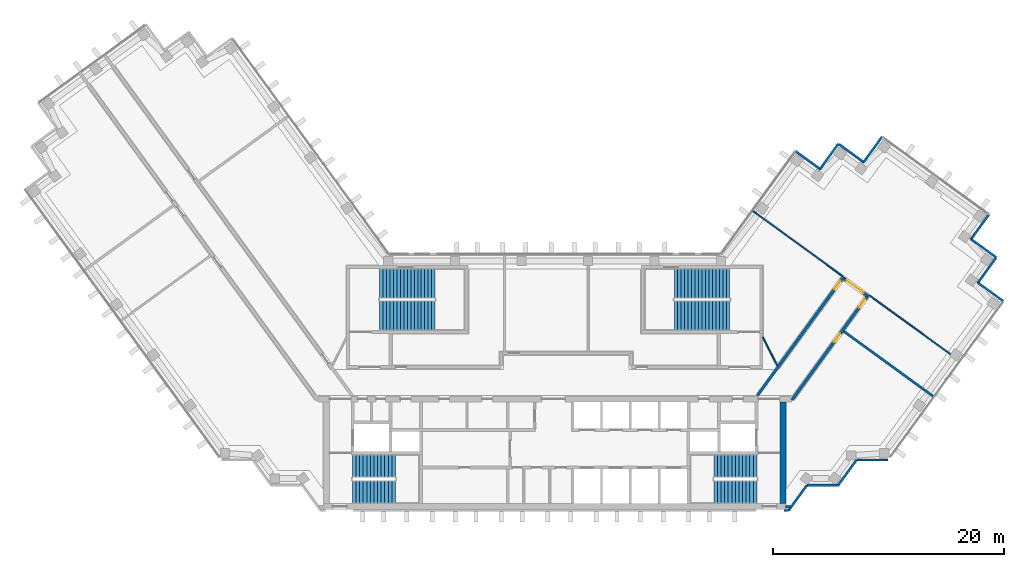
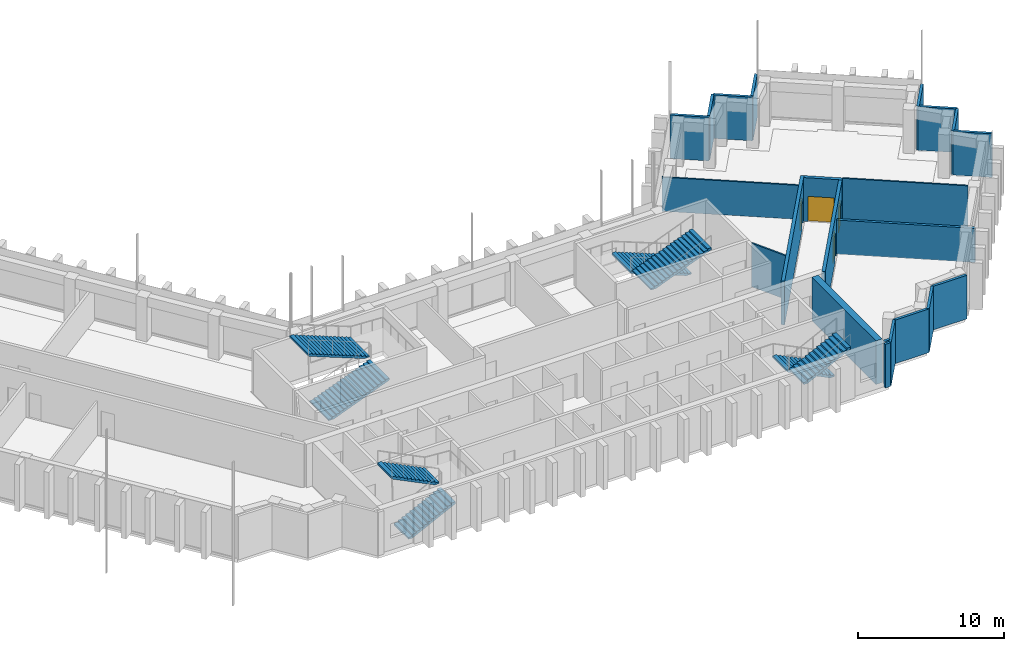
# One storey, part 10 of 12: 22 walls, 8 stair flights, 4 doors, 4 openings, 4 elements without a shape of their own.
"""IFC4 building model written with IfcOpenShell, lengths in metres."""

from ifc_helpers import new_model, si_unit, direction, frame, frame_2d, origin, place, context, subcontext, project, spatial, polyline, rectangle, outline, extrude, material, layer, layer_set, type_object, element, fill, aggregate, save


model = new_model("IFC4")

# Units and contexts
model_context = context("Model", 3, precision=1e-05, world=origin(), true_north=direction((0.0, 1.0)))
body_context = subcontext(model_context, "Body", "Model", "MODEL_VIEW")
ifc_project = project(units=[si_unit("LENGTHUNIT", "METRE"), si_unit("AREAUNIT", "SQUARE_METRE"), si_unit("VOLUMEUNIT", "CUBIC_METRE"), si_unit("PLANEANGLEUNIT", "RADIAN"), si_unit("MASSUNIT", "GRAM", prefix="KILO")], contexts=[model_context])

# Site, building, storey
site_placement = place(None, origin())
site = spatial("IfcSite", under=ifc_project, at=site_placement, CompositionType="ELEMENT")
building_placement = place(site_placement, origin())
building = spatial("IfcBuilding", under=site, at=building_placement, Name="Quipu Civic Tower", CompositionType="ELEMENT")
storey_placement = place(building_placement, frame((0.0, 0.0, 234.0)))
storey = spatial("IfcBuildingStorey", under=building, at=storey_placement, Name="L55", CompositionType="ELEMENT", Elevation=234.0)

# Walls
ifc_material_1 = material(Name="Fired clay blockwork", Category="masonry")
ifc_layer_1 = layer(ifc_material_1, 0.199951171875)
ifc_layer_set_1 = layer_set([ifc_layer_1], Name="Fired clay blockwork")
wall_type_1 = type_object("IfcWallType", Name="Blockwork wall 200", PredefinedType="SOLIDWALL", material=ifc_layer_set_1)
wall_1_placement = place(storey_placement, frame((32.734375, -1.18701171875, 0.0), z_axis=(0.0, 0.0, 1.0), x_axis=(-0.808994684961, 0.587815957341, 0.0)))
element("IfcWall", 1, at=wall_1_placement, inside=storey, type_object=wall_type_1, Name="Partition P08", PredefinedType="SOLIDWALL", context=body_context, shape_type="SweptSolid", body=[
    extrude(rectangle(XDim=9.55029296875, YDim=0.199951171875, at=frame_2d((4.775146484375, 0.0))), origin(), (0.0, 0.0, 1.0), 2.85009765625),
])
ifc_material_2 = material(Name="Concrete C70/85", Category="concrete")
ifc_layer_2 = layer(ifc_material_2, 0.5)
ifc_layer_set_2 = layer_set([ifc_layer_2], Name="Concrete C70/85")
wall_type_2 = type_object("IfcWallType", Name="Core wall 500", PredefinedType="SHEAR", material=ifc_layer_set_2)
wall_2_placement = place(storey_placement, frame((19.75, -10.5, 0.0), z_axis=(0.0, 0.0, 1.0), x_axis=(0.0, 1.0, 0.0)))
element("IfcWall", 2, at=wall_2_placement, inside=storey, type_object=wall_type_2, Name="Core wall", PredefinedType="SHEAR", context=body_context, shape_type="SweptSolid", body=[
    extrude(rectangle(XDim=8.800048828125, YDim=0.5, at=frame_2d((4.39990234375, 0.0))), origin(), (0.0, 0.0, 1.0), 3.64990234375),
])

# Wall, opening, door
ifc_material_3 = material(Name="Concrete C50/60", Category="concrete")
ifc_layer_3 = layer(ifc_material_3, 0.25)
ifc_layer_set_3 = layer_set([ifc_layer_3], Name="Concrete C50/60")
wall_type_3 = type_object("IfcWallType", Name="Corridor wall 250 concrete", PredefinedType="SOLIDWALL", material=ifc_layer_set_3)
wall_3_placement = place(storey_placement, frame((17.544921875, -1.124755859375, 0.0), z_axis=(0.0, 0.0, 1.0), x_axis=(0.587796810203, 0.809008596935, 0.0)))
wall_3 = element("IfcWall", 3, at=wall_3_placement, inside=storey, type_object=wall_type_3, Name="Corridor wall C02", PredefinedType="SOLIDWALL", context=body_context, shape_type="SweptSolid", body=[
    extrude(rectangle(XDim=12.703125, YDim=0.25, at=frame_2d((6.3515625, 0.0))), origin(), (0.0, 0.0, 1.0), 3.64990234375),
])
opening_1_placement = place(wall_3_placement, frame((11.32861328125, 0.0, 0.0)))
opening_1 = element("IfcOpeningElement", 4, at=opening_1_placement, cuts=wall_3, Name="Opening D001", PredefinedType="OPENING", context=body_context, shape_type="SweptSolid", body=[
    extrude(rectangle(XDim=0.89990234375, YDim=2.10009765625, at=frame_2d((0.449951171875, 1.050048828125))), frame((0.0, 0.135009765625, 0.0), z_axis=(0.0, -1.0, 0.0), x_axis=(1.0, 0.0, 0.0)), (0.0, 0.0, 1.0), 0.27001953125),
])
ifc_material_4 = material(Name="Fire rated timber door set with metal frame", Category="wood")
door_type_1 = type_object("IfcDoorType", Name="Single door 900 x 2100 FD60", OperationType="NOTDEFINED", PredefinedType="DOOR", material=ifc_material_4)
door_1_placement = place(opening_1_placement, origin())
door_1 = element("IfcDoor", 5, at=door_1_placement, inside=storey, type_object=door_type_1, Name="Door D001", OperationType="SINGLE_SWING_RIGHT", OverallHeight=2.10009765625, OverallWidth=0.89990234375, PredefinedType="DOOR", context=body_context, shape_type="SweptSolid", body=[
    extrude(rectangle(XDim=0.89990234375, YDim=2.10009765625, at=frame_2d((0.449951171875, 1.050048828125))), frame((0.0, 0.02490234375, 0.0), z_axis=(0.0, -1.0, 0.0), x_axis=(1.0, 0.0, 0.0)), (0.0, 0.0, 1.0), 0.050048828125),
])
fill(opening_1, door_1)

wall_4_placement = place(storey_placement, frame((25.039306640625, 8.9775390625, 0.0), z_axis=(0.0, 0.0, 1.0), x_axis=(0.809006914995, -0.587799125119, 0.0)))
wall_4 = element("IfcWall", 6, at=wall_4_placement, inside=storey, type_object=wall_type_3, Name="Corridor wall C03", PredefinedType="SOLIDWALL", context=body_context, shape_type="SweptSolid", body=[
    extrude(rectangle(XDim=2.64990234375, YDim=0.25, at=frame_2d((1.324951171875, 0.0))), origin(), (0.0, 0.0, 1.0), 3.64990234375),
])
opening_2_placement = place(wall_4_placement, frame((0.300537109375, 0.0, 0.0)))
opening_2 = element("IfcOpeningElement", 7, at=opening_2_placement, cuts=wall_4, Name="Opening D004", PredefinedType="OPENING", context=body_context, shape_type="SweptSolid", body=[
    extrude(rectangle(XDim=1.800048828125, YDim=2.10009765625, at=frame_2d((0.89990234375, 1.050048828125))), frame((0.0, 0.135009765625, 0.0), z_axis=(0.0, -1.0, 0.0), x_axis=(1.0, 0.0, 0.0)), (0.0, 0.0, 1.0), 0.27001953125),
])
ifc_material_5 = material(Name="Fire rated timber door set with metal frame", Category="wood")
door_type_2 = type_object("IfcDoorType", Name="Double door 1800 x 2100 FD60", OperationType="DOUBLE_DOOR_SINGLE_SWING", PredefinedType="DOOR", material=ifc_material_5)
door_2_placement = place(opening_2_placement, origin())
door_2 = element("IfcDoor", 8, at=door_2_placement, inside=storey, type_object=door_type_2, Name="Door D004", OperationType="DOUBLE_DOOR_SINGLE_SWING", OverallHeight=2.10009765625, OverallWidth=1.800048828125, PredefinedType="DOOR", context=body_context, shape_type="SweptSolid", body=[
    extrude(rectangle(XDim=1.800048828125, YDim=2.10009765625, at=frame_2d((0.89990234375, 1.050048828125))), frame((0.0, 0.02490234375, 0.0), z_axis=(0.0, -1.0, 0.0), x_axis=(1.0, 0.0, 0.0)), (0.0, 0.0, 1.0), 0.050048828125),
])
fill(opening_2, door_2)

# Wall, openings, doors
wall_5_placement = place(storey_placement, frame((27.008544921875, 7.392333984375, 0.0), z_axis=(0.0, 0.0, 1.0), x_axis=(-0.587776457057, -0.809023384414, 0.0)))
wall_5 = element("IfcWall", 9, at=wall_5_placement, inside=storey, type_object=wall_type_3, Name="Corridor wall C04", PredefinedType="SOLIDWALL", context=body_context, shape_type="SweptSolid", body=[
    extrude(rectangle(XDim=11.0205078125, YDim=0.25, at=frame_2d((5.51025390625, 0.0))), origin(), (0.0, 0.0, 1.0), 3.64990234375),
])
opening_3_placement = place(wall_5_placement, frame((3.904541015625, 0.0, 0.0)))
opening_3 = element("IfcOpeningElement", 10, at=opening_3_placement, cuts=wall_5, Name="Opening D002", PredefinedType="OPENING", context=body_context, shape_type="SweptSolid", body=[
    extrude(rectangle(XDim=0.89990234375, YDim=2.10009765625, at=frame_2d((0.449951171875, 1.050048828125))), frame((0.0, 0.135009765625, 0.0), z_axis=(0.0, -1.0, 0.0), x_axis=(1.0, 0.0, 0.0)), (0.0, 0.0, 1.0), 0.27001953125),
])
opening_4_placement = place(wall_5_placement, frame((0.224609375, 0.0, 0.0)))
opening_4 = element("IfcOpeningElement", 11, at=opening_4_placement, cuts=wall_5, Name="Opening D003", PredefinedType="OPENING", context=body_context, shape_type="SweptSolid", body=[
    extrude(rectangle(XDim=0.89990234375, YDim=2.10009765625, at=frame_2d((0.449951171875, 1.050048828125))), frame((0.0, 0.135009765625, 0.0), z_axis=(0.0, -1.0, 0.0), x_axis=(1.0, 0.0, 0.0)), (0.0, 0.0, 1.0), 0.27001953125),
])
door_3_placement = place(opening_3_placement, origin())
door_3 = element("IfcDoor", 12, at=door_3_placement, inside=storey, type_object=door_type_1, Name="Door D002", OperationType="SINGLE_SWING_LEFT", OverallHeight=2.10009765625, OverallWidth=0.89990234375, PredefinedType="DOOR", context=body_context, shape_type="SweptSolid", body=[
    extrude(rectangle(XDim=0.89990234375, YDim=2.10009765625, at=frame_2d((0.449951171875, 1.050048828125))), frame((0.0, 0.02490234375, 0.0), z_axis=(0.0, -1.0, 0.0), x_axis=(1.0, 0.0, 0.0)), (0.0, 0.0, 1.0), 0.050048828125),
])
fill(opening_3, door_3)
door_4_placement = place(opening_4_placement, origin())
door_4 = element("IfcDoor", 13, at=door_4_placement, inside=storey, type_object=door_type_1, Name="Door D003", OperationType="SINGLE_SWING_LEFT", OverallHeight=2.10009765625, OverallWidth=0.89990234375, PredefinedType="DOOR", context=body_context, shape_type="SweptSolid", body=[
    extrude(rectangle(XDim=0.89990234375, YDim=2.10009765625, at=frame_2d((0.449951171875, 1.050048828125))), frame((0.0, 0.02490234375, 0.0), z_axis=(0.0, -1.0, 0.0), x_axis=(1.0, 0.0, 0.0)), (0.0, 0.0, 1.0), 0.050048828125),
])
fill(opening_4, door_4)

# Walls
ifc_material_6 = material(Name="Gypsum plasterboard on light gauge framing")
ifc_layer_4 = layer(ifc_material_6, 0.1201171875)
ifc_layer_set_4 = layer_set([ifc_layer_4], Name="Gypsum plasterboard on light gauge framing")
wall_type_4 = type_object("IfcWallType", Name="Partition 120 plasterboard", PredefinedType="PARTITIONING", material=ifc_layer_set_4)
wall_6_placement = place(storey_placement, frame((24.89794921875, 9.20947265625, 0.0), z_axis=(0.0, 0.0, 1.0), x_axis=(-0.809013490065, 0.587790075531, 0.0)))
element("IfcWall", 14, at=wall_6_placement, inside=storey, type_object=wall_type_4, Name="Partition P01", PredefinedType="PARTITIONING", context=body_context, shape_type="SweptSolid", body=[
    extrude(rectangle(XDim=9.54931640625, YDim=0.1201171875, at=frame_2d((4.774658203125, 0.0))), origin(), (0.0, 0.0, 1.0), 2.85009765625),
])
wall_7_placement = place(storey_placement, frame((27.240478515625, 7.532470703125, 0.0), z_axis=(0.0, 0.0, 1.0), x_axis=(0.809033281668, -0.587762834103, 0.0)))
element("IfcWall", 15, at=wall_7_placement, inside=storey, type_object=wall_type_4, Name="Partition P07", PredefinedType="PARTITIONING", context=body_context, shape_type="SweptSolid", body=[
    extrude(rectangle(XDim=8.664794921875, YDim=0.1201171875, at=frame_2d((4.33251953125, 0.0))), origin(), (0.0, 0.0, 1.0), 3.64990234375),
])
wall_8_placement = place(storey_placement, frame((18.0, 3.925048828125, 0.0), z_axis=(0.0, 0.0, 1.0), x_axis=(0.453950796792, -0.891026752736, 0.0)))
element("IfcWall", 16, at=wall_8_placement, inside=storey, type_object=wall_type_4, Name="Partition P09", PredefinedType="PARTITIONING", context=body_context, shape_type="SweptSolid", body=[
    extrude(rectangle(XDim=2.77783203125, YDim=0.1201171875, at=frame_2d((1.388916015625, 0.0))), origin(), (0.0, 0.0, 1.0), 3.64990234375),
])
ifc_material_7 = material(Name="Precast concrete C40/50", Category="concrete")
wall_type_5 = type_object("IfcWallType", Name="Precast cladding wall", PredefinedType="SOLIDWALL", material=ifc_material_7)
for number, where, z_axis, x_axis, name in (
    (17, (38.82861328125, 7.031005859375, 0.0), (0.0, 0.0, 1.0), (-0.808990163075, 0.587822180636, 0.0), "Precast cladding wall L55 P01"),
    (18, (36.60205078125, 8.580322265625, 0.0), (0.0, 0.0, 1.0), (0.587822180636, 0.808990163075, 0.0), "Precast cladding wall L55 P02"),
    (19, (38.231201171875, 10.80224609375, 0.0), (0.0, 0.0, 1.0), (-0.808958916286, 0.58786518162, 0.0), "Precast cladding wall L55 P03"),
):
    element("IfcWall", number, at=place(storey_placement, frame(where, z_axis=z_axis, x_axis=x_axis)), inside=storey, type_object=wall_type_5, Name=name, PredefinedType="SOLIDWALL", context=body_context, shape_type="SweptSolid", body=[
        extrude(rectangle(XDim=2.699951171875, YDim=0.199951171875, at=frame_2d((1.35009765625, 0.0))), origin(), (0.0, 0.0, 1.0), 3.64990234375),
    ])
wall_9_placement = place(storey_placement, frame((19.85009765625, -11.087890625, 0.0), z_axis=(0.0, 0.0, 1.0), x_axis=(1.0, 0.0, 0.0)))
element("IfcWall", 20, at=wall_9_placement, inside=storey, type_object=wall_type_5, Name="Precast cladding wall L55 P22", PredefinedType="SOLIDWALL", context=body_context, shape_type="SweptSolid", body=[
    extrude(rectangle(XDim=0.40576171875, YDim=0.199951171875, at=frame_2d((0.202880859375, 0.0))), origin(), (0.0, 0.0, 1.0), 3.64990234375),
])
wall_10_placement = place(storey_placement, frame((20.253173828125, -11.083251953125, 0.0), z_axis=(0.0, 0.0, 1.0), x_axis=(0.587766567315, 0.809030569476, 0.0)))
element("IfcWall", 21, at=wall_10_placement, inside=storey, type_object=wall_type_5, Name="Precast cladding wall L55 P23", PredefinedType="SOLIDWALL", context=body_context, shape_type="SweptSolid", body=[
    extrude(rectangle(XDim=2.687744140625, YDim=0.199951171875, at=frame_2d((1.34375, 0.0))), origin(), (0.0, 0.0, 1.0), 3.64990234375),
])
for number, where, z_axis, x_axis, name in (
    (22, (36.0048828125, 12.3515625, 0.0), (0.0, 0.0, 1.0), (0.587762999008, 0.809033161865, 0.0), "Precast cladding wall L55 P24"),
    (23, (28.333984375, 21.26220703125, 0.0), (0.0, 0.0, 1.0), (-0.587762999008, -0.809033161865, 0.0), "Precast cladding wall L55 P26"),
):
    element("IfcWall", number, at=place(storey_placement, frame(where, z_axis=z_axis, x_axis=x_axis)), inside=storey, type_object=wall_type_5, Name=name, PredefinedType="SOLIDWALL", context=body_context, shape_type="SweptSolid", body=[
        extrude(rectangle(XDim=2.699951171875, YDim=0.199951171875, at=frame_2d((1.35009765625, 0.0))), origin(), (0.0, 0.0, 1.0), 3.64990234375),
    ])
wall_11_placement = place(storey_placement, frame((26.78466796875, 19.03564453125, 0.0), z_axis=(0.0, 0.0, 1.0), x_axis=(-0.809064397168, 0.587720002413, 0.0)))
element("IfcWall", 24, at=wall_11_placement, inside=storey, type_object=wall_type_5, Name="Precast cladding wall L55 P27", PredefinedType="SOLIDWALL", context=body_context, shape_type="SweptSolid", body=[
    extrude(rectangle(XDim=2.7001953125, YDim=0.199951171875, at=frame_2d((1.35009765625, 0.0))), origin(), (0.0, 0.0, 1.0), 3.64990234375),
])
for number, where, z_axis, x_axis, name in (
    (25, (24.562744140625, 20.664794921875, 0.0), (0.0, 0.0, 1.0), (-0.587822180636, -0.808990163075, 0.0), "Precast cladding wall L55 P28"),
    (26, (23.01318359375, 18.438232421875, 0.0), (0.0, 0.0, 1.0), (-0.808990163075, 0.587822180636, 0.0), "Precast cladding wall L55 P29"),
    (27, (21.8427734375, -8.90380859375, 0.0), (0.0, 0.0, 1.0), (1.0, 0.0, 0.0), "Precast cladding wall L55 1"),
):
    element("IfcWall", number, at=place(storey_placement, frame(where, z_axis=z_axis, x_axis=x_axis)), inside=storey, type_object=wall_type_5, Name=name, PredefinedType="SOLIDWALL", context=body_context, shape_type="SweptSolid", body=[
        extrude(rectangle(XDim=2.699951171875, YDim=0.199951171875, at=frame_2d((1.35009765625, 0.0))), origin(), (0.0, 0.0, 1.0), 3.64990234375),
    ])
wall_12_placement = place(storey_placement, frame((24.533203125, -8.90869140625, 0.0), z_axis=(0.0, 0.0, 1.0), x_axis=(0.587720002413, 0.809064397168, 0.0)))
element("IfcWall", 28, at=wall_12_placement, inside=storey, type_object=wall_type_5, Name="Precast cladding wall L55 2", PredefinedType="SOLIDWALL", context=body_context, shape_type="SweptSolid", body=[
    extrude(rectangle(XDim=2.7001953125, YDim=0.199951171875, at=frame_2d((1.35009765625, 0.0))), origin(), (0.0, 0.0, 1.0), 3.64990234375),
])
wall_13_placement = place(storey_placement, frame((26.1298828125, -6.71923828125, 0.0), z_axis=(0.0, 0.0, 1.0), x_axis=(1.0, 0.0, 0.0)))
element("IfcWall", 29, at=wall_13_placement, inside=storey, type_object=wall_type_5, Name="Precast cladding wall L55 3", PredefinedType="SOLIDWALL", context=body_context, shape_type="SweptSolid", body=[
    extrude(rectangle(XDim=2.699951171875, YDim=0.199951171875, at=frame_2d((1.35009765625, 0.0))), origin(), (0.0, 0.0, 1.0), 3.64990234375),
])
wall_14_placement = place(storey_placement, frame((19.97998046875, -10.75, 0.0), z_axis=(0.0, 0.0, 1.0), x_axis=(1.0, 0.0, 0.0)))
element("IfcWall", 30, at=wall_14_placement, inside=storey, type_object=wall_type_5, Name="Precast cladding return L55 E", PredefinedType="SOLIDWALL", context=body_context, shape_type="SweptSolid", body=[
    extrude(rectangle(XDim=0.41650390625, YDim=0.199951171875, at=frame_2d((0.208251953125, 0.0))), origin(), (0.0, 0.0, 1.0), 3.64990234375),
])

# Stair, stair flights
ifc_material_8 = material(Name="Concrete C40/50", Category="concrete")
stair_type_1 = type_object("IfcStairType", Name="Half turn stair 2000", PredefinedType="HALF_TURN_STAIR", material=ifc_material_8)
stair_1_placement = place(storey_placement, origin())
stair_1 = element("IfcStair", 31, at=stair_1_placement, inside=storey, type_object=stair_type_1, Name="Exit stair 1", PredefinedType="HALF_TURN_STAIR")
ifc_material_9 = material(Name="Concrete C40/50", Category="concrete")
stair_flight_type_1 = type_object("IfcStairFlightType", Name="Stair flight 2000", PredefinedType="STRAIGHT", material=ifc_material_9)
stair_flight_1_placement = place(storey_placement, frame((-17.5, -9.5, 0.0), z_axis=(0.0, 0.0, 1.0), x_axis=(1.0, 0.0, 0.0)))
stair_flight_1 = element("IfcStairFlight", 32, at=stair_flight_1_placement, type_object=stair_flight_type_1, Name="ST-1 flight 1", NumberOfRisers=13, NumberOfTreads=12, PredefinedType="STRAIGHT", RiserHeight=0.153846154, TreadLength=0.31, context=body_context, shape_type="SweptSolid", body=[
    extrude(outline(polyline([(0.0, 0.0), (0.0, 0.15380859375), (0.31005859375, 0.15380859375), (0.31005859375, 0.3076171875), (0.6201171875, 0.3076171875), (0.6201171875, 0.46142578125), (0.929931640625, 0.46142578125), (0.929931640625, 0.615478515625), (1.239990234375, 0.615478515625), (1.239990234375, 0.769287109375), (1.550048828125, 0.769287109375), (1.550048828125, 0.923095703125), (1.860107421875, 0.923095703125), (1.860107421875, 1.076904296875), (2.169921875, 1.076904296875), (2.169921875, 1.230712890625), (2.47998046875, 1.230712890625), (2.47998046875, 1.384521484375), (2.7900390625, 1.384521484375), (2.7900390625, 1.53857421875), (3.10009765625, 1.53857421875), (3.10009765625, 1.6923828125), (3.409912109375, 1.6923828125), (3.409912109375, 1.84619140625), (3.719970703125, 1.84619140625), (3.719970703125, 2.0), (3.719970703125, 1.6787109375), (0.337158203125, 0.0), (0.0, 0.0)])), frame((0.0, 1.0, 0.0), z_axis=(0.0, -1.0, 0.0), x_axis=(1.0, 0.0, 0.0)), (0.0, 0.0, 1.0), 2.0),
])
stair_flight_2_placement = place(storey_placement, frame((-13.780029296875, -7.25, 2.0), z_axis=(0.0, 0.0, 1.0), x_axis=(-1.0, 0.0, 0.0)))
stair_flight_2 = element("IfcStairFlight", 33, at=stair_flight_2_placement, type_object=stair_flight_type_1, Name="ST-1 flight 2", NumberOfRisers=13, NumberOfTreads=12, PredefinedType="STRAIGHT", RiserHeight=0.153846154, TreadLength=0.31, context=body_context, shape_type="SweptSolid", body=[
    extrude(outline(polyline([(0.0, 0.0), (0.0, 0.15380859375), (0.31005859375, 0.15380859375), (0.31005859375, 0.3076171875), (0.6201171875, 0.3076171875), (0.6201171875, 0.46142578125), (0.929931640625, 0.46142578125), (0.929931640625, 0.615478515625), (1.239990234375, 0.615478515625), (1.239990234375, 0.769287109375), (1.550048828125, 0.769287109375), (1.550048828125, 0.923095703125), (1.860107421875, 0.923095703125), (1.860107421875, 1.076904296875), (2.169921875, 1.076904296875), (2.169921875, 1.230712890625), (2.47998046875, 1.230712890625), (2.47998046875, 1.384521484375), (2.7900390625, 1.384521484375), (2.7900390625, 1.53857421875), (3.10009765625, 1.53857421875), (3.10009765625, 1.6923828125), (3.409912109375, 1.6923828125), (3.409912109375, 1.84619140625), (3.719970703125, 1.84619140625), (3.719970703125, 2.0), (3.719970703125, 1.6787109375), (0.337158203125, 0.0), (0.0, 0.0)])), frame((0.0, 1.0, 0.0), z_axis=(0.0, -1.0, 0.0), x_axis=(1.0, 0.0, 0.0)), (0.0, 0.0, 1.0), 2.0),
])
aggregate(stair_1, [stair_flight_1, stair_flight_2])

stair_2_placement = place(storey_placement, origin())
stair_2 = element("IfcStair", 34, at=stair_2_placement, inside=storey, type_object=stair_type_1, Name="Exit stair 2", PredefinedType="HALF_TURN_STAIR")
stair_flight_3_placement = place(storey_placement, frame((17.5, -7.25, 0.0), z_axis=(0.0, 0.0, 1.0), x_axis=(-1.0, 0.0, 0.0)))
stair_flight_3 = element("IfcStairFlight", 35, at=stair_flight_3_placement, type_object=stair_flight_type_1, Name="ST-2 flight 1", NumberOfRisers=13, NumberOfTreads=12, PredefinedType="STRAIGHT", RiserHeight=0.153846154, TreadLength=0.31, context=body_context, shape_type="SweptSolid", body=[
    extrude(outline(polyline([(0.0, 0.0), (0.0, 0.15380859375), (0.31005859375, 0.15380859375), (0.31005859375, 0.3076171875), (0.6201171875, 0.3076171875), (0.6201171875, 0.46142578125), (0.929931640625, 0.46142578125), (0.929931640625, 0.615478515625), (1.239990234375, 0.615478515625), (1.239990234375, 0.769287109375), (1.550048828125, 0.769287109375), (1.550048828125, 0.923095703125), (1.860107421875, 0.923095703125), (1.860107421875, 1.076904296875), (2.169921875, 1.076904296875), (2.169921875, 1.230712890625), (2.47998046875, 1.230712890625), (2.47998046875, 1.384521484375), (2.7900390625, 1.384521484375), (2.7900390625, 1.53857421875), (3.10009765625, 1.53857421875), (3.10009765625, 1.6923828125), (3.409912109375, 1.6923828125), (3.409912109375, 1.84619140625), (3.719970703125, 1.84619140625), (3.719970703125, 2.0), (3.719970703125, 1.6787109375), (0.337158203125, 0.0), (0.0, 0.0)])), frame((0.0, 1.0, 0.0), z_axis=(0.0, -1.0, 0.0), x_axis=(1.0, 0.0, 0.0)), (0.0, 0.0, 1.0), 2.0),
])
stair_flight_4_placement = place(storey_placement, frame((13.780029296875, -9.5, 2.0), z_axis=(0.0, 0.0, 1.0), x_axis=(1.0, 0.0, 0.0)))
stair_flight_4 = element("IfcStairFlight", 36, at=stair_flight_4_placement, type_object=stair_flight_type_1, Name="ST-2 flight 2", NumberOfRisers=13, NumberOfTreads=12, PredefinedType="STRAIGHT", RiserHeight=0.153846154, TreadLength=0.31, context=body_context, shape_type="SweptSolid", body=[
    extrude(outline(polyline([(0.0, 0.0), (0.0, 0.15380859375), (0.31005859375, 0.15380859375), (0.31005859375, 0.3076171875), (0.6201171875, 0.3076171875), (0.6201171875, 0.46142578125), (0.929931640625, 0.46142578125), (0.929931640625, 0.615478515625), (1.239990234375, 0.615478515625), (1.239990234375, 0.769287109375), (1.550048828125, 0.769287109375), (1.550048828125, 0.923095703125), (1.860107421875, 0.923095703125), (1.860107421875, 1.076904296875), (2.169921875, 1.076904296875), (2.169921875, 1.230712890625), (2.47998046875, 1.230712890625), (2.47998046875, 1.384521484375), (2.7900390625, 1.384521484375), (2.7900390625, 1.53857421875), (3.10009765625, 1.53857421875), (3.10009765625, 1.6923828125), (3.409912109375, 1.6923828125), (3.409912109375, 1.84619140625), (3.719970703125, 1.84619140625), (3.719970703125, 2.0), (3.719970703125, 1.6787109375), (0.337158203125, 0.0), (0.0, 0.0)])), frame((0.0, 1.0, 0.0), z_axis=(0.0, -1.0, 0.0), x_axis=(1.0, 0.0, 0.0)), (0.0, 0.0, 1.0), 2.0),
])
aggregate(stair_2, [stair_flight_3, stair_flight_4])

ifc_material_10 = material(Name="Concrete C40/50", Category="concrete")
stair_type_2 = type_object("IfcStairType", Name="Half turn stair 2600", PredefinedType="HALF_TURN_STAIR", material=ifc_material_10)
stair_3_placement = place(storey_placement, origin())
stair_3 = element("IfcStair", 37, at=stair_3_placement, inside=storey, type_object=stair_type_2, Name="Exit stair 3", PredefinedType="HALF_TURN_STAIR")
ifc_material_11 = material(Name="Concrete C40/50", Category="concrete")
stair_flight_type_2 = type_object("IfcStairFlightType", Name="Stair flight 2600", PredefinedType="STRAIGHT", material=ifc_material_11)
stair_flight_5_placement = place(storey_placement, frame((-15.14990234375, 5.800048828125, 0.0), z_axis=(0.0, 0.0, 1.0), x_axis=(1.0, 0.0, 0.0)))
stair_flight_5 = element("IfcStairFlight", 38, at=stair_flight_5_placement, type_object=stair_flight_type_2, Name="ST-3 flight 1", NumberOfRisers=17, NumberOfTreads=16, PredefinedType="STRAIGHT", RiserHeight=0.117647059, TreadLength=0.3, context=body_context, shape_type="SweptSolid", body=[
    extrude(outline(polyline([(0.0, 0.0), (0.0, 0.11767578125), (0.300048828125, 0.11767578125), (0.300048828125, 0.2353515625), (0.60009765625, 0.2353515625), (0.60009765625, 0.35302734375), (0.89990234375, 0.35302734375), (0.89990234375, 0.470703125), (1.199951171875, 0.470703125), (1.199951171875, 0.588134765625), (1.5, 0.588134765625), (1.5, 0.705810546875), (1.800048828125, 0.705810546875), (1.800048828125, 0.823486328125), (2.10009765625, 0.823486328125), (2.10009765625, 0.941162109375), (2.39990234375, 0.941162109375), (2.39990234375, 1.058837890625), (2.699951171875, 1.058837890625), (2.699951171875, 1.176513671875), (3.0, 1.176513671875), (3.0, 1.294189453125), (3.300048828125, 1.294189453125), (3.300048828125, 1.411865234375), (3.60009765625, 1.411865234375), (3.60009765625, 1.529296875), (3.89990234375, 1.529296875), (3.89990234375, 1.64697265625), (4.199951171875, 1.64697265625), (4.199951171875, 1.7646484375), (4.5, 1.7646484375), (4.5, 1.88232421875), (4.800048828125, 1.88232421875), (4.800048828125, 2.0), (4.800048828125, 1.721435546875), (0.41064453125, 0.0), (0.0, 0.0)])), frame((0.0, 1.300048828125, 0.0), z_axis=(0.0, -1.0, 0.0), x_axis=(1.0, 0.0, 0.0)), (0.0, 0.0, 1.0), 2.60009765625),
])
stair_flight_6_placement = place(storey_placement, frame((-10.35009765625, 8.550048828125, 2.0), z_axis=(0.0, 0.0, 1.0), x_axis=(-1.0, 0.0, 0.0)))
stair_flight_6 = element("IfcStairFlight", 39, at=stair_flight_6_placement, type_object=stair_flight_type_2, Name="ST-3 flight 2", NumberOfRisers=17, NumberOfTreads=16, PredefinedType="STRAIGHT", RiserHeight=0.117647059, TreadLength=0.3, context=body_context, shape_type="SweptSolid", body=[
    extrude(outline(polyline([(0.0, 0.0), (0.0, 0.11767578125), (0.300048828125, 0.11767578125), (0.300048828125, 0.2353515625), (0.60009765625, 0.2353515625), (0.60009765625, 0.35302734375), (0.89990234375, 0.35302734375), (0.89990234375, 0.470703125), (1.199951171875, 0.470703125), (1.199951171875, 0.588134765625), (1.5, 0.588134765625), (1.5, 0.705810546875), (1.800048828125, 0.705810546875), (1.800048828125, 0.823486328125), (2.10009765625, 0.823486328125), (2.10009765625, 0.941162109375), (2.39990234375, 0.941162109375), (2.39990234375, 1.058837890625), (2.699951171875, 1.058837890625), (2.699951171875, 1.176513671875), (3.0, 1.176513671875), (3.0, 1.294189453125), (3.300048828125, 1.294189453125), (3.300048828125, 1.411865234375), (3.60009765625, 1.411865234375), (3.60009765625, 1.529296875), (3.89990234375, 1.529296875), (3.89990234375, 1.64697265625), (4.199951171875, 1.64697265625), (4.199951171875, 1.7646484375), (4.5, 1.7646484375), (4.5, 1.88232421875), (4.800048828125, 1.88232421875), (4.800048828125, 2.0), (4.800048828125, 1.721435546875), (0.41064453125, 0.0), (0.0, 0.0)])), frame((0.0, 1.300048828125, 0.0), z_axis=(0.0, -1.0, 0.0), x_axis=(1.0, 0.0, 0.0)), (0.0, 0.0, 1.0), 2.60009765625),
])
aggregate(stair_3, [stair_flight_5, stair_flight_6])

stair_4_placement = place(storey_placement, origin())
stair_4 = element("IfcStair", 40, at=stair_4_placement, inside=storey, type_object=stair_type_2, Name="Exit stair 4", PredefinedType="HALF_TURN_STAIR")
stair_flight_7_placement = place(storey_placement, frame((15.14990234375, 8.550048828125, 0.0), z_axis=(0.0, 0.0, 1.0), x_axis=(-1.0, 0.0, 0.0)))
stair_flight_7 = element("IfcStairFlight", 41, at=stair_flight_7_placement, type_object=stair_flight_type_2, Name="ST-4 flight 1", NumberOfRisers=17, NumberOfTreads=16, PredefinedType="STRAIGHT", RiserHeight=0.117647059, TreadLength=0.3, context=body_context, shape_type="SweptSolid", body=[
    extrude(outline(polyline([(0.0, 0.0), (0.0, 0.11767578125), (0.300048828125, 0.11767578125), (0.300048828125, 0.2353515625), (0.60009765625, 0.2353515625), (0.60009765625, 0.35302734375), (0.89990234375, 0.35302734375), (0.89990234375, 0.470703125), (1.199951171875, 0.470703125), (1.199951171875, 0.588134765625), (1.5, 0.588134765625), (1.5, 0.705810546875), (1.800048828125, 0.705810546875), (1.800048828125, 0.823486328125), (2.10009765625, 0.823486328125), (2.10009765625, 0.941162109375), (2.39990234375, 0.941162109375), (2.39990234375, 1.058837890625), (2.699951171875, 1.058837890625), (2.699951171875, 1.176513671875), (3.0, 1.176513671875), (3.0, 1.294189453125), (3.300048828125, 1.294189453125), (3.300048828125, 1.411865234375), (3.60009765625, 1.411865234375), (3.60009765625, 1.529296875), (3.89990234375, 1.529296875), (3.89990234375, 1.64697265625), (4.199951171875, 1.64697265625), (4.199951171875, 1.7646484375), (4.5, 1.7646484375), (4.5, 1.88232421875), (4.800048828125, 1.88232421875), (4.800048828125, 2.0), (4.800048828125, 1.721435546875), (0.41064453125, 0.0), (0.0, 0.0)])), frame((0.0, 1.300048828125, 0.0), z_axis=(0.0, -1.0, 0.0), x_axis=(1.0, 0.0, 0.0)), (0.0, 0.0, 1.0), 2.60009765625),
])
stair_flight_8_placement = place(storey_placement, frame((10.35009765625, 5.800048828125, 2.0), z_axis=(0.0, 0.0, 1.0), x_axis=(1.0, 0.0, 0.0)))
stair_flight_8 = element("IfcStairFlight", 42, at=stair_flight_8_placement, type_object=stair_flight_type_2, Name="ST-4 flight 2", NumberOfRisers=17, NumberOfTreads=16, PredefinedType="STRAIGHT", RiserHeight=0.117647059, TreadLength=0.3, context=body_context, shape_type="SweptSolid", body=[
    extrude(outline(polyline([(0.0, 0.0), (0.0, 0.11767578125), (0.300048828125, 0.11767578125), (0.300048828125, 0.2353515625), (0.60009765625, 0.2353515625), (0.60009765625, 0.35302734375), (0.89990234375, 0.35302734375), (0.89990234375, 0.470703125), (1.199951171875, 0.470703125), (1.199951171875, 0.588134765625), (1.5, 0.588134765625), (1.5, 0.705810546875), (1.800048828125, 0.705810546875), (1.800048828125, 0.823486328125), (2.10009765625, 0.823486328125), (2.10009765625, 0.941162109375), (2.39990234375, 0.941162109375), (2.39990234375, 1.058837890625), (2.699951171875, 1.058837890625), (2.699951171875, 1.176513671875), (3.0, 1.176513671875), (3.0, 1.294189453125), (3.300048828125, 1.294189453125), (3.300048828125, 1.411865234375), (3.60009765625, 1.411865234375), (3.60009765625, 1.529296875), (3.89990234375, 1.529296875), (3.89990234375, 1.64697265625), (4.199951171875, 1.64697265625), (4.199951171875, 1.7646484375), (4.5, 1.7646484375), (4.5, 1.88232421875), (4.800048828125, 1.88232421875), (4.800048828125, 2.0), (4.800048828125, 1.721435546875), (0.41064453125, 0.0), (0.0, 0.0)])), frame((0.0, 1.300048828125, 0.0), z_axis=(0.0, -1.0, 0.0), x_axis=(1.0, 0.0, 0.0)), (0.0, 0.0, 1.0), 2.60009765625),
])
aggregate(stair_4, [stair_flight_7, stair_flight_8])

save(model, "model.ifc")
